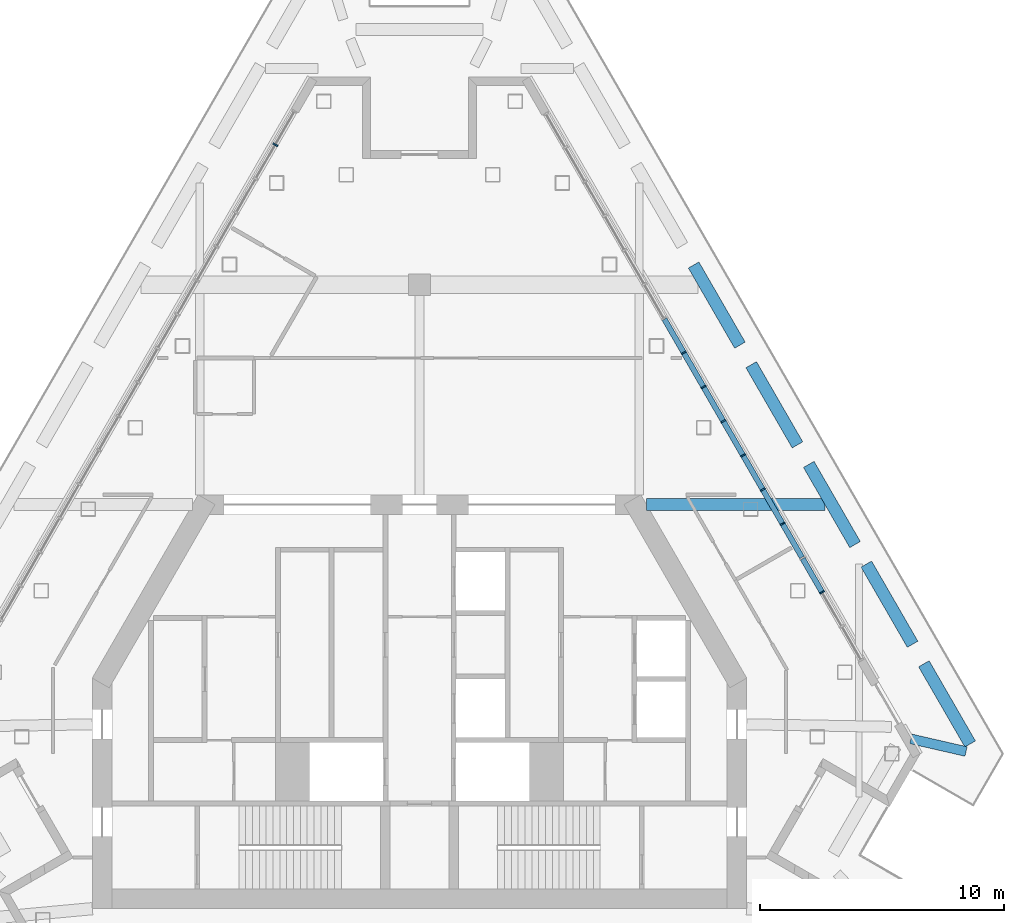
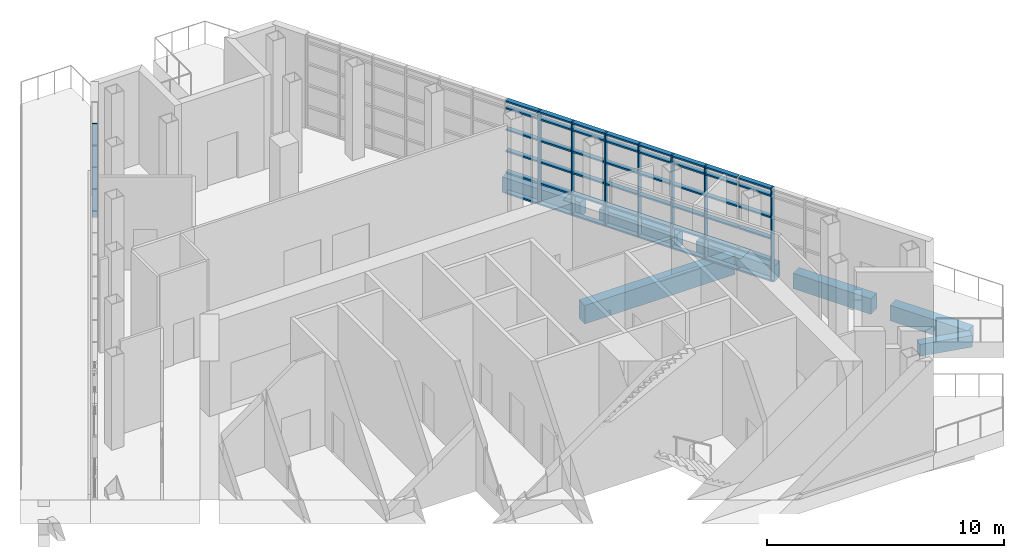
# One storey, part 5 of 15: 56 members, 7 beams, 2 elements without a shape of their own.
"""IFC4 building model written with IfcOpenShell, lengths in metres."""

from ifc_helpers import new_model, si_unit, direction, frame, origin, origin_2d, place, context, subcontext, project, spatial, rectangle, extrude, material, material_profile, profile_set, type_object, element, aggregate, save


model = new_model("IFC4")

# Units and contexts
model_context = context("Model", 3, precision=1e-05, world=origin(), true_north=direction((0.0, 1.0)))
body_context = subcontext(model_context, "Body", "Model", "MODEL_VIEW")
ifc_project = project(units=[si_unit("LENGTHUNIT", "METRE"), si_unit("AREAUNIT", "SQUARE_METRE"), si_unit("VOLUMEUNIT", "CUBIC_METRE"), si_unit("PLANEANGLEUNIT", "RADIAN"), si_unit("MASSUNIT", "GRAM", prefix="KILO")], contexts=[model_context])

# Site, building, storey
site_placement = place(None, origin())
site = spatial("IfcSite", under=ifc_project, at=site_placement, CompositionType="ELEMENT")
building_placement = place(site_placement, origin())
building = spatial("IfcBuilding", under=site, at=building_placement, Name="Fogline Exchange Tower", CompositionType="ELEMENT")
storey_placement = place(building_placement, frame((0.0, 0.0, 344.699951171875)))
storey = spatial("IfcBuildingStorey", under=building, at=storey_placement, Name="L78", CompositionType="ELEMENT", Elevation=344.699951171875)

# Beams
ifc_material_1 = material(Name="Concrete C40", Category="concrete")
ifc_material_profile_1 = material_profile(ifc_material_1, rectangle(XDim=0.5, YDim=0.800048828125, at=origin_2d()), Name="RC 500x800")
ifc_profile_set_1 = profile_set([ifc_material_profile_1], Name="Concrete C40")
beam_type_1 = type_object("IfcBeamType", Name="B10", PredefinedType="BEAM", material=ifc_profile_set_1)
beam_1_placement = place(storey_placement, frame((22.54931640625, 8.194091796875, -1.199951171875), z_axis=(-0.499969613651, 0.86604294664, 0.0), x_axis=(-0.86604294664, -0.499969613651, 0.0)))
element("IfcBeam", 1, at=beam_1_placement, inside=storey, type_object=beam_type_1, Name="RB009", PredefinedType="BEAM", context=body_context, shape_type="SweptSolid", body=[
    extrude(rectangle(XDim=0.5, YDim=0.800048828125, at=origin_2d()), origin(), (0.0, 0.0, 1.0), 3.790771484375),
])
for number, where, z_axis, x_axis, name in (
    (2, (20.192138671875, 12.277099609375, -1.199951171875), (-0.499997501644, 0.866026846206, 0.0), (-0.866026846206, -0.499997501644, 0.0), "RB010"),
    (3, (17.8349609375, 16.35986328125, -1.199951171875), (-0.499997501644, 0.866026846206, 0.0), (-0.866026846206, -0.499997501644, 0.0), "RB011"),
    (4, (15.477783203125, 20.442626953125, -1.199951171875), (-0.499997501644, 0.866026846206, 0.0), (-0.866026846206, -0.499997501644, 0.0), "RB012"),
):
    element("IfcBeam", number, at=place(storey_placement, frame(where, z_axis=z_axis, x_axis=x_axis)), inside=storey, type_object=beam_type_1, Name=name, PredefinedType="BEAM", context=body_context, shape_type="SweptSolid", body=[
        extrude(rectangle(XDim=0.5, YDim=0.800048828125, at=origin_2d()), origin(), (0.0, 0.0, 1.0), 3.79052734375),
    ])
beam_2_placement = place(storey_placement, frame((13.12060546875, 24.525390625, -1.199951171875), z_axis=(-0.500045805297, 0.865998956469, 0.0), x_axis=(-0.865998956469, -0.500045805297, 0.0)))
element("IfcBeam", 5, at=beam_2_placement, inside=storey, type_object=beam_type_1, Name="RB013", PredefinedType="BEAM", context=body_context, shape_type="SweptSolid", body=[
    extrude(rectangle(XDim=0.5, YDim=0.800048828125, at=origin_2d()), origin(), (0.0, 0.0, 1.0), 3.790771484375),
])
ifc_material_profile_2 = material_profile(ifc_material_1, rectangle(XDim=0.39990234375, YDim=0.60009765625, at=origin_2d()), Name="RC 400x600")
ifc_profile_set_2 = profile_set([ifc_material_profile_2], Name="Concrete C40")
beam_type_2 = type_object("IfcBeamType", Name="B11", PredefinedType="BEAM", material=ifc_profile_set_2)
beam_3_placement = place(storey_placement, frame((20.120849609375, 8.403564453125, -1.099853515625), z_axis=(0.974753812703, -0.223282342834, 0.0), x_axis=(0.223282342834, 0.974753812703, 0.0)))
element("IfcBeam", 6, at=beam_3_placement, inside=storey, type_object=beam_type_2, Name="RB008", PredefinedType="BEAM", context=body_context, shape_type="SweptSolid", body=[
    extrude(rectangle(XDim=0.39990234375, YDim=0.60009765625, at=origin_2d()), origin(), (0.0, 0.0, 1.0), 2.318115234375),
])
ifc_material_profile_3 = material_profile(ifc_material_1, rectangle(XDim=0.5, YDim=0.949951171875, at=origin_2d()), Name="RC 500x950")
ifc_profile_set_3 = profile_set([ifc_material_profile_3], Name="Concrete C40")
beam_type_3 = type_object("IfcBeamType", Name="B14", PredefinedType="BEAM", material=ifc_profile_set_3)
beam_4_placement = place(storey_placement, frame((9.296142578125, 18.0, -1.27490234375), z_axis=(1.0, 0.0, 0.0), x_axis=(0.0, 1.0, 0.0)))
element("IfcBeam", 7, at=beam_4_placement, inside=storey, type_object=beam_type_3, Name="GB004", PredefinedType="BEAM", context=body_context, shape_type="SweptSolid", body=[
    extrude(rectangle(XDim=0.5, YDim=0.949951171875, at=origin_2d()), origin(), (0.0, 0.0, 1.0), 7.30322265625),
])

# Curtain wall, members
ifc_material_2 = material(Name="Aluminium and glass", Category="aluminium")
curtain_wall_type = type_object("IfcCurtainWallType", Name="CW5", PredefinedType="NOTDEFINED", material=ifc_material_2)
curtain_wall_1_placement = place(storey_placement, origin())
curtain_wall_1 = element("IfcCurtainWall", 8, at=curtain_wall_1_placement, inside=storey, type_object=curtain_wall_type, Name="CW5 L78 E run 1", PredefinedType="NOTDEFINED")
ifc_material_3 = material(Name="Aluminium", Category="aluminium")
ifc_material_profile_4 = material_profile(ifc_material_3, rectangle(XDim=0.219970703125, YDim=0.06494140625, at=origin_2d()), Name="Mullion 65x220")
ifc_profile_set_4 = profile_set([ifc_material_profile_4], Name="Aluminium")
member_type_1 = type_object("IfcMemberType", Name="CW5-M", PredefinedType="MULLION", material=ifc_profile_set_4)
member_1_placement = place(storey_placement, frame((16.48486328125, 14.408447265625, 0.0), z_axis=(0.0, 0.0, 1.0), x_axis=(-0.866025427189, -0.499999959462, 0.0)))
member_1 = element("IfcMember", 9, at=member_1_placement, type_object=member_type_1, Name="CW5-T26-01 mullion 3", PredefinedType="MULLION", context=body_context, shape_type="SweptSolid", body=[
    extrude(rectangle(XDim=0.219970703125, YDim=0.06494140625, at=origin_2d()), origin(), (0.0, 0.0, 1.0), 4.800048828125),
])
member_2_placement = place(storey_placement, frame((14.8671875, 17.210693359375, 0.0), z_axis=(0.0, 0.0, 1.0), x_axis=(-0.866025427189, -0.499999959462, 0.0)))
member_2 = element("IfcMember", 10, at=member_2_placement, type_object=member_type_1, Name="CW5-T26-01 mullion 5", PredefinedType="MULLION", context=body_context, shape_type="SweptSolid", body=[
    extrude(rectangle(XDim=0.219970703125, YDim=0.06494140625, at=origin_2d()), origin(), (0.0, 0.0, 1.0), 4.800048828125),
])
member_3_placement = place(storey_placement, frame((14.058349609375, 18.611572265625, 0.0), z_axis=(0.0, 0.0, 1.0), x_axis=(-0.866025427189, -0.499999959462, 0.0)))
member_3 = element("IfcMember", 11, at=member_3_placement, type_object=member_type_1, Name="CW5-T26-01 mullion 6", PredefinedType="MULLION", context=body_context, shape_type="SweptSolid", body=[
    extrude(rectangle(XDim=0.219970703125, YDim=0.06494140625, at=origin_2d()), origin(), (0.0, 0.0, 1.0), 4.800048828125),
])
member_4_placement = place(storey_placement, frame((13.249267578125, 20.0126953125, 0.0), z_axis=(0.0, 0.0, 1.0), x_axis=(-0.866025427189, -0.499999959462, 0.0)))
member_4 = element("IfcMember", 12, at=member_4_placement, type_object=member_type_1, Name="CW5-T26-01 mullion 7", PredefinedType="MULLION", context=body_context, shape_type="SweptSolid", body=[
    extrude(rectangle(XDim=0.219970703125, YDim=0.06494140625, at=origin_2d()), origin(), (0.0, 0.0, 1.0), 4.800048828125),
])
member_5_placement = place(storey_placement, frame((12.4404296875, 21.413818359375, 0.0), z_axis=(0.0, 0.0, 1.0), x_axis=(-0.866025427189, -0.499999959462, 0.0)))
member_5 = element("IfcMember", 13, at=member_5_placement, type_object=member_type_1, Name="CW5-T26-01 mullion 8", PredefinedType="MULLION", context=body_context, shape_type="SweptSolid", body=[
    extrude(rectangle(XDim=0.219970703125, YDim=0.06494140625, at=origin_2d()), origin(), (0.0, 0.0, 1.0), 4.800048828125),
])
member_6_placement = place(storey_placement, frame((11.631591796875, 22.81494140625, 0.0), z_axis=(0.0, 0.0, 1.0), x_axis=(-0.866025427189, -0.499999959462, 0.0)))
member_6 = element("IfcMember", 14, at=member_6_placement, type_object=member_type_1, Name="CW5-T26-01 mullion 9", PredefinedType="MULLION", context=body_context, shape_type="SweptSolid", body=[
    extrude(rectangle(XDim=0.219970703125, YDim=0.06494140625, at=origin_2d()), origin(), (0.0, 0.0, 1.0), 4.800048828125),
])
member_7_placement = place(storey_placement, frame((10.822509765625, 24.2158203125, 0.0), z_axis=(0.0, 0.0, 1.0), x_axis=(-0.866025427189, -0.499999959462, 0.0)))
member_7 = element("IfcMember", 15, at=member_7_placement, type_object=member_type_1, Name="CW5-T26-01 mullion 10", PredefinedType="MULLION", context=body_context, shape_type="SweptSolid", body=[
    extrude(rectangle(XDim=0.219970703125, YDim=0.06494140625, at=origin_2d()), origin(), (0.0, 0.0, 1.0), 4.800048828125),
])

# Curtain wall, member
curtain_wall_2_placement = place(storey_placement, origin())
curtain_wall_2 = element("IfcCurtainWall", 16, at=curtain_wall_2_placement, inside=storey, type_object=curtain_wall_type, Name="CW5 L78 W run 1", PredefinedType="NOTDEFINED")
member_8_placement = place(storey_placement, frame((-5.905029296875, 32.733154296875, 0.0), z_axis=(0.0, 0.0, 1.0), x_axis=(0.866025370998, -0.500000056787, 0.0)))
member_8 = element("IfcMember", 17, at=member_8_placement, type_object=member_type_1, Name="CW5-T26-02 mullion 2", PredefinedType="MULLION", context=body_context, shape_type="SweptSolid", body=[
    extrude(rectangle(XDim=0.219970703125, YDim=0.06494140625, at=origin_2d()), origin(), (0.0, 0.0, 1.0), 4.800048828125),
])
aggregate(curtain_wall_2, [member_8])

# Member
ifc_material_profile_5 = material_profile(ifc_material_3, rectangle(XDim=0.219970703125, YDim=0.080078125, at=origin_2d()), Name="Transom 80x220")
ifc_profile_set_5 = profile_set([ifc_material_profile_5], Name="Aluminium")
member_type_2 = type_object("IfcMemberType", Name="CW5-T", PredefinedType="USERDEFINED", material=ifc_profile_set_5)
member_9_placement = place(storey_placement, frame((16.46875, 14.4365234375, 0.0400390625), z_axis=(-0.499926585285, 0.866067785641, 0.0), x_axis=(-0.866067785641, -0.499926585285, 0.0)))
member_9 = element("IfcMember", 18, at=member_9_placement, type_object=member_type_2, Name="CW5-T26-01 transom 3.1", ObjectType="TRANSOM", PredefinedType="USERDEFINED", context=body_context, shape_type="SweptSolid", body=[
    extrude(rectangle(XDim=0.219970703125, YDim=0.080078125, at=origin_2d()), origin(), (0.0, 0.0, 1.0), 1.552978515625),
])

member_10_placement = place(storey_placement, frame((16.46875, 14.4365234375, 1.10009765625), z_axis=(-0.499926585285, 0.866067785641, 0.0), x_axis=(-0.866067785641, -0.499926585285, 0.0)))
member_10 = element("IfcMember", 19, at=member_10_placement, type_object=member_type_2, Name="CW5-T26-01 transom 3.2", ObjectType="TRANSOM", PredefinedType="USERDEFINED", context=body_context, shape_type="SweptSolid", body=[
    extrude(rectangle(XDim=0.219970703125, YDim=0.080078125, at=origin_2d()), origin(), (0.0, 0.0, 1.0), 1.552978515625),
])

member_11_placement = place(storey_placement, frame((16.46875, 14.4365234375, 2.199951171875), z_axis=(-0.499926585285, 0.866067785641, 0.0), x_axis=(-0.866067785641, -0.499926585285, 0.0)))
member_11 = element("IfcMember", 20, at=member_11_placement, type_object=member_type_2, Name="CW5-T26-01 transom 3.3", ObjectType="TRANSOM", PredefinedType="USERDEFINED", context=body_context, shape_type="SweptSolid", body=[
    extrude(rectangle(XDim=0.219970703125, YDim=0.080078125, at=origin_2d()), origin(), (0.0, 0.0, 1.0), 1.552978515625),
])

member_12_placement = place(storey_placement, frame((16.46875, 14.4365234375, 3.300048828125), z_axis=(-0.499926585285, 0.866067785641, 0.0), x_axis=(-0.866067785641, -0.499926585285, 0.0)))
member_12 = element("IfcMember", 21, at=member_12_placement, type_object=member_type_2, Name="CW5-T26-01 transom 3.4", ObjectType="TRANSOM", PredefinedType="USERDEFINED", context=body_context, shape_type="SweptSolid", body=[
    extrude(rectangle(XDim=0.219970703125, YDim=0.080078125, at=origin_2d()), origin(), (0.0, 0.0, 1.0), 1.552978515625),
])

member_13_placement = place(storey_placement, frame((16.46875, 14.4365234375, 4.400146484375), z_axis=(-0.499926585285, 0.866067785641, 0.0), x_axis=(-0.866067785641, -0.499926585285, 0.0)))
member_13 = element("IfcMember", 22, at=member_13_placement, type_object=member_type_2, Name="CW5-T26-01 transom 3.5", ObjectType="TRANSOM", PredefinedType="USERDEFINED", context=body_context, shape_type="SweptSolid", body=[
    extrude(rectangle(XDim=0.219970703125, YDim=0.080078125, at=origin_2d()), origin(), (0.0, 0.0, 1.0), 1.552978515625),
])

member_14_placement = place(storey_placement, frame((16.46875, 14.4365234375, 4.760009765625), z_axis=(-0.499926585285, 0.866067785641, 0.0), x_axis=(-0.866067785641, -0.499926585285, 0.0)))
member_14 = element("IfcMember", 23, at=member_14_placement, type_object=member_type_2, Name="CW5-T26-01 transom 3.6", ObjectType="TRANSOM", PredefinedType="USERDEFINED", context=body_context, shape_type="SweptSolid", body=[
    extrude(rectangle(XDim=0.219970703125, YDim=0.080078125, at=origin_2d()), origin(), (0.0, 0.0, 1.0), 1.552978515625),
])

member_15_placement = place(storey_placement, frame((15.659912109375, 15.837646484375, 0.0400390625), z_axis=(-0.50011257031, 0.86596040153, 0.0), x_axis=(-0.86596040153, -0.50011257031, 0.0)))
member_15 = element("IfcMember", 24, at=member_15_placement, type_object=member_type_2, Name="CW5-T26-01 transom 4.1", ObjectType="TRANSOM", PredefinedType="USERDEFINED", context=body_context, shape_type="SweptSolid", body=[
    extrude(rectangle(XDim=0.219970703125, YDim=0.080078125, at=origin_2d()), origin(), (0.0, 0.0, 1.0), 1.552978515625),
])

member_16_placement = place(storey_placement, frame((15.659912109375, 15.837646484375, 1.10009765625), z_axis=(-0.50011257031, 0.86596040153, 0.0), x_axis=(-0.86596040153, -0.50011257031, 0.0)))
member_16 = element("IfcMember", 25, at=member_16_placement, type_object=member_type_2, Name="CW5-T26-01 transom 4.2", ObjectType="TRANSOM", PredefinedType="USERDEFINED", context=body_context, shape_type="SweptSolid", body=[
    extrude(rectangle(XDim=0.219970703125, YDim=0.080078125, at=origin_2d()), origin(), (0.0, 0.0, 1.0), 1.552978515625),
])

member_17_placement = place(storey_placement, frame((15.659912109375, 15.837646484375, 2.199951171875), z_axis=(-0.50011257031, 0.86596040153, 0.0), x_axis=(-0.86596040153, -0.50011257031, 0.0)))
member_17 = element("IfcMember", 26, at=member_17_placement, type_object=member_type_2, Name="CW5-T26-01 transom 4.3", ObjectType="TRANSOM", PredefinedType="USERDEFINED", context=body_context, shape_type="SweptSolid", body=[
    extrude(rectangle(XDim=0.219970703125, YDim=0.080078125, at=origin_2d()), origin(), (0.0, 0.0, 1.0), 1.552978515625),
])

member_18_placement = place(storey_placement, frame((15.659912109375, 15.837646484375, 3.300048828125), z_axis=(-0.50011257031, 0.86596040153, 0.0), x_axis=(-0.86596040153, -0.50011257031, 0.0)))
member_18 = element("IfcMember", 27, at=member_18_placement, type_object=member_type_2, Name="CW5-T26-01 transom 4.4", ObjectType="TRANSOM", PredefinedType="USERDEFINED", context=body_context, shape_type="SweptSolid", body=[
    extrude(rectangle(XDim=0.219970703125, YDim=0.080078125, at=origin_2d()), origin(), (0.0, 0.0, 1.0), 1.552978515625),
])

member_19_placement = place(storey_placement, frame((15.659912109375, 15.837646484375, 4.400146484375), z_axis=(-0.50011257031, 0.86596040153, 0.0), x_axis=(-0.86596040153, -0.50011257031, 0.0)))
member_19 = element("IfcMember", 28, at=member_19_placement, type_object=member_type_2, Name="CW5-T26-01 transom 4.5", ObjectType="TRANSOM", PredefinedType="USERDEFINED", context=body_context, shape_type="SweptSolid", body=[
    extrude(rectangle(XDim=0.219970703125, YDim=0.080078125, at=origin_2d()), origin(), (0.0, 0.0, 1.0), 1.552978515625),
])

member_20_placement = place(storey_placement, frame((15.659912109375, 15.837646484375, 4.760009765625), z_axis=(-0.50011257031, 0.86596040153, 0.0), x_axis=(-0.86596040153, -0.50011257031, 0.0)))
member_20 = element("IfcMember", 29, at=member_20_placement, type_object=member_type_2, Name="CW5-T26-01 transom 4.6", ObjectType="TRANSOM", PredefinedType="USERDEFINED", context=body_context, shape_type="SweptSolid", body=[
    extrude(rectangle(XDim=0.219970703125, YDim=0.080078125, at=origin_2d()), origin(), (0.0, 0.0, 1.0), 1.552978515625),
])

member_21_placement = place(storey_placement, frame((14.850830078125, 17.23876953125, 0.0400390625), z_axis=(-0.499994660107, 0.866028486751, 0.0), x_axis=(-0.866028486751, -0.499994660107, 0.0)))
member_21 = element("IfcMember", 30, at=member_21_placement, type_object=member_type_2, Name="CW5-T26-01 transom 5.1", ObjectType="TRANSOM", PredefinedType="USERDEFINED", context=body_context, shape_type="SweptSolid", body=[
    extrude(rectangle(XDim=0.219970703125, YDim=0.080078125, at=origin_2d()), origin(), (0.0, 0.0, 1.0), 1.552734375),
])

member_22_placement = place(storey_placement, frame((14.850830078125, 17.23876953125, 1.10009765625), z_axis=(-0.499994660107, 0.866028486751, 0.0), x_axis=(-0.866028486751, -0.499994660107, 0.0)))
member_22 = element("IfcMember", 31, at=member_22_placement, type_object=member_type_2, Name="CW5-T26-01 transom 5.2", ObjectType="TRANSOM", PredefinedType="USERDEFINED", context=body_context, shape_type="SweptSolid", body=[
    extrude(rectangle(XDim=0.219970703125, YDim=0.080078125, at=origin_2d()), origin(), (0.0, 0.0, 1.0), 1.552734375),
])

member_23_placement = place(storey_placement, frame((14.850830078125, 17.23876953125, 2.199951171875), z_axis=(-0.499994660107, 0.866028486751, 0.0), x_axis=(-0.866028486751, -0.499994660107, 0.0)))
member_23 = element("IfcMember", 32, at=member_23_placement, type_object=member_type_2, Name="CW5-T26-01 transom 5.3", ObjectType="TRANSOM", PredefinedType="USERDEFINED", context=body_context, shape_type="SweptSolid", body=[
    extrude(rectangle(XDim=0.219970703125, YDim=0.080078125, at=origin_2d()), origin(), (0.0, 0.0, 1.0), 1.552734375),
])

member_24_placement = place(storey_placement, frame((14.850830078125, 17.23876953125, 3.300048828125), z_axis=(-0.499994660107, 0.866028486751, 0.0), x_axis=(-0.866028486751, -0.499994660107, 0.0)))
member_24 = element("IfcMember", 33, at=member_24_placement, type_object=member_type_2, Name="CW5-T26-01 transom 5.4", ObjectType="TRANSOM", PredefinedType="USERDEFINED", context=body_context, shape_type="SweptSolid", body=[
    extrude(rectangle(XDim=0.219970703125, YDim=0.080078125, at=origin_2d()), origin(), (0.0, 0.0, 1.0), 1.552734375),
])

member_25_placement = place(storey_placement, frame((14.850830078125, 17.23876953125, 4.400146484375), z_axis=(-0.499994660107, 0.866028486751, 0.0), x_axis=(-0.866028486751, -0.499994660107, 0.0)))
member_25 = element("IfcMember", 34, at=member_25_placement, type_object=member_type_2, Name="CW5-T26-01 transom 5.5", ObjectType="TRANSOM", PredefinedType="USERDEFINED", context=body_context, shape_type="SweptSolid", body=[
    extrude(rectangle(XDim=0.219970703125, YDim=0.080078125, at=origin_2d()), origin(), (0.0, 0.0, 1.0), 1.552734375),
])

member_26_placement = place(storey_placement, frame((14.850830078125, 17.23876953125, 4.760009765625), z_axis=(-0.499994660107, 0.866028486751, 0.0), x_axis=(-0.866028486751, -0.499994660107, 0.0)))
member_26 = element("IfcMember", 35, at=member_26_placement, type_object=member_type_2, Name="CW5-T26-01 transom 5.6", ObjectType="TRANSOM", PredefinedType="USERDEFINED", context=body_context, shape_type="SweptSolid", body=[
    extrude(rectangle(XDim=0.219970703125, YDim=0.080078125, at=origin_2d()), origin(), (0.0, 0.0, 1.0), 1.552734375),
])

member_27_placement = place(storey_placement, frame((14.0419921875, 18.639892578125, 0.0400390625), z_axis=(-0.499994660107, 0.866028486751, 0.0), x_axis=(-0.866028486751, -0.499994660107, 0.0)))
member_27 = element("IfcMember", 36, at=member_27_placement, type_object=member_type_2, Name="CW5-T26-01 transom 6.1", ObjectType="TRANSOM", PredefinedType="USERDEFINED", context=body_context, shape_type="SweptSolid", body=[
    extrude(rectangle(XDim=0.219970703125, YDim=0.080078125, at=origin_2d()), origin(), (0.0, 0.0, 1.0), 1.552734375),
])

member_28_placement = place(storey_placement, frame((14.0419921875, 18.639892578125, 1.10009765625), z_axis=(-0.499994660107, 0.866028486751, 0.0), x_axis=(-0.866028486751, -0.499994660107, 0.0)))
member_28 = element("IfcMember", 37, at=member_28_placement, type_object=member_type_2, Name="CW5-T26-01 transom 6.2", ObjectType="TRANSOM", PredefinedType="USERDEFINED", context=body_context, shape_type="SweptSolid", body=[
    extrude(rectangle(XDim=0.219970703125, YDim=0.080078125, at=origin_2d()), origin(), (0.0, 0.0, 1.0), 1.552734375),
])

member_29_placement = place(storey_placement, frame((14.0419921875, 18.639892578125, 2.199951171875), z_axis=(-0.499994660107, 0.866028486751, 0.0), x_axis=(-0.866028486751, -0.499994660107, 0.0)))
member_29 = element("IfcMember", 38, at=member_29_placement, type_object=member_type_2, Name="CW5-T26-01 transom 6.3", ObjectType="TRANSOM", PredefinedType="USERDEFINED", context=body_context, shape_type="SweptSolid", body=[
    extrude(rectangle(XDim=0.219970703125, YDim=0.080078125, at=origin_2d()), origin(), (0.0, 0.0, 1.0), 1.552734375),
])

member_30_placement = place(storey_placement, frame((14.0419921875, 18.639892578125, 3.300048828125), z_axis=(-0.499994660107, 0.866028486751, 0.0), x_axis=(-0.866028486751, -0.499994660107, 0.0)))
member_30 = element("IfcMember", 39, at=member_30_placement, type_object=member_type_2, Name="CW5-T26-01 transom 6.4", ObjectType="TRANSOM", PredefinedType="USERDEFINED", context=body_context, shape_type="SweptSolid", body=[
    extrude(rectangle(XDim=0.219970703125, YDim=0.080078125, at=origin_2d()), origin(), (0.0, 0.0, 1.0), 1.552734375),
])

member_31_placement = place(storey_placement, frame((14.0419921875, 18.639892578125, 4.400146484375), z_axis=(-0.499994660107, 0.866028486751, 0.0), x_axis=(-0.866028486751, -0.499994660107, 0.0)))
member_31 = element("IfcMember", 40, at=member_31_placement, type_object=member_type_2, Name="CW5-T26-01 transom 6.5", ObjectType="TRANSOM", PredefinedType="USERDEFINED", context=body_context, shape_type="SweptSolid", body=[
    extrude(rectangle(XDim=0.219970703125, YDim=0.080078125, at=origin_2d()), origin(), (0.0, 0.0, 1.0), 1.552734375),
])

member_32_placement = place(storey_placement, frame((14.0419921875, 18.639892578125, 4.760009765625), z_axis=(-0.499994660107, 0.866028486751, 0.0), x_axis=(-0.866028486751, -0.499994660107, 0.0)))
member_32 = element("IfcMember", 41, at=member_32_placement, type_object=member_type_2, Name="CW5-T26-01 transom 6.6", ObjectType="TRANSOM", PredefinedType="USERDEFINED", context=body_context, shape_type="SweptSolid", body=[
    extrude(rectangle(XDim=0.219970703125, YDim=0.080078125, at=origin_2d()), origin(), (0.0, 0.0, 1.0), 1.552734375),
])

member_33_placement = place(storey_placement, frame((13.233154296875, 20.040771484375, 0.0400390625), z_axis=(-0.499926585285, 0.866067785641, 0.0), x_axis=(-0.866067785641, -0.499926585285, 0.0)))
member_33 = element("IfcMember", 42, at=member_33_placement, type_object=member_type_2, Name="CW5-T26-01 transom 7.1", ObjectType="TRANSOM", PredefinedType="USERDEFINED", context=body_context, shape_type="SweptSolid", body=[
    extrude(rectangle(XDim=0.219970703125, YDim=0.080078125, at=origin_2d()), origin(), (0.0, 0.0, 1.0), 1.552978515625),
])

member_34_placement = place(storey_placement, frame((13.233154296875, 20.040771484375, 1.10009765625), z_axis=(-0.499926585285, 0.866067785641, 0.0), x_axis=(-0.866067785641, -0.499926585285, 0.0)))
member_34 = element("IfcMember", 43, at=member_34_placement, type_object=member_type_2, Name="CW5-T26-01 transom 7.2", ObjectType="TRANSOM", PredefinedType="USERDEFINED", context=body_context, shape_type="SweptSolid", body=[
    extrude(rectangle(XDim=0.219970703125, YDim=0.080078125, at=origin_2d()), origin(), (0.0, 0.0, 1.0), 1.552978515625),
])

member_35_placement = place(storey_placement, frame((13.233154296875, 20.040771484375, 2.199951171875), z_axis=(-0.499926585285, 0.866067785641, 0.0), x_axis=(-0.866067785641, -0.499926585285, 0.0)))
member_35 = element("IfcMember", 44, at=member_35_placement, type_object=member_type_2, Name="CW5-T26-01 transom 7.3", ObjectType="TRANSOM", PredefinedType="USERDEFINED", context=body_context, shape_type="SweptSolid", body=[
    extrude(rectangle(XDim=0.219970703125, YDim=0.080078125, at=origin_2d()), origin(), (0.0, 0.0, 1.0), 1.552978515625),
])

member_36_placement = place(storey_placement, frame((13.233154296875, 20.040771484375, 3.300048828125), z_axis=(-0.499926585285, 0.866067785641, 0.0), x_axis=(-0.866067785641, -0.499926585285, 0.0)))
member_36 = element("IfcMember", 45, at=member_36_placement, type_object=member_type_2, Name="CW5-T26-01 transom 7.4", ObjectType="TRANSOM", PredefinedType="USERDEFINED", context=body_context, shape_type="SweptSolid", body=[
    extrude(rectangle(XDim=0.219970703125, YDim=0.080078125, at=origin_2d()), origin(), (0.0, 0.0, 1.0), 1.552978515625),
])

member_37_placement = place(storey_placement, frame((13.233154296875, 20.040771484375, 4.400146484375), z_axis=(-0.499926585285, 0.866067785641, 0.0), x_axis=(-0.866067785641, -0.499926585285, 0.0)))
member_37 = element("IfcMember", 46, at=member_37_placement, type_object=member_type_2, Name="CW5-T26-01 transom 7.5", ObjectType="TRANSOM", PredefinedType="USERDEFINED", context=body_context, shape_type="SweptSolid", body=[
    extrude(rectangle(XDim=0.219970703125, YDim=0.080078125, at=origin_2d()), origin(), (0.0, 0.0, 1.0), 1.552978515625),
])

member_38_placement = place(storey_placement, frame((13.233154296875, 20.040771484375, 4.760009765625), z_axis=(-0.499926585285, 0.866067785641, 0.0), x_axis=(-0.866067785641, -0.499926585285, 0.0)))
member_38 = element("IfcMember", 47, at=member_38_placement, type_object=member_type_2, Name="CW5-T26-01 transom 7.6", ObjectType="TRANSOM", PredefinedType="USERDEFINED", context=body_context, shape_type="SweptSolid", body=[
    extrude(rectangle(XDim=0.219970703125, YDim=0.080078125, at=origin_2d()), origin(), (0.0, 0.0, 1.0), 1.552978515625),
])

member_39_placement = place(storey_placement, frame((12.424072265625, 21.44189453125, 0.0400390625), z_axis=(-0.499994660107, 0.866028486751, 0.0), x_axis=(-0.866028486751, -0.499994660107, 0.0)))
member_39 = element("IfcMember", 48, at=member_39_placement, type_object=member_type_2, Name="CW5-T26-01 transom 8.1", ObjectType="TRANSOM", PredefinedType="USERDEFINED", context=body_context, shape_type="SweptSolid", body=[
    extrude(rectangle(XDim=0.219970703125, YDim=0.080078125, at=origin_2d()), origin(), (0.0, 0.0, 1.0), 1.552734375),
])

member_40_placement = place(storey_placement, frame((12.424072265625, 21.44189453125, 1.10009765625), z_axis=(-0.499994660107, 0.866028486751, 0.0), x_axis=(-0.866028486751, -0.499994660107, 0.0)))
member_40 = element("IfcMember", 49, at=member_40_placement, type_object=member_type_2, Name="CW5-T26-01 transom 8.2", ObjectType="TRANSOM", PredefinedType="USERDEFINED", context=body_context, shape_type="SweptSolid", body=[
    extrude(rectangle(XDim=0.219970703125, YDim=0.080078125, at=origin_2d()), origin(), (0.0, 0.0, 1.0), 1.552734375),
])

member_41_placement = place(storey_placement, frame((12.424072265625, 21.44189453125, 2.199951171875), z_axis=(-0.499994660107, 0.866028486751, 0.0), x_axis=(-0.866028486751, -0.499994660107, 0.0)))
member_41 = element("IfcMember", 50, at=member_41_placement, type_object=member_type_2, Name="CW5-T26-01 transom 8.3", ObjectType="TRANSOM", PredefinedType="USERDEFINED", context=body_context, shape_type="SweptSolid", body=[
    extrude(rectangle(XDim=0.219970703125, YDim=0.080078125, at=origin_2d()), origin(), (0.0, 0.0, 1.0), 1.552734375),
])

member_42_placement = place(storey_placement, frame((12.424072265625, 21.44189453125, 3.300048828125), z_axis=(-0.499994660107, 0.866028486751, 0.0), x_axis=(-0.866028486751, -0.499994660107, 0.0)))
member_42 = element("IfcMember", 51, at=member_42_placement, type_object=member_type_2, Name="CW5-T26-01 transom 8.4", ObjectType="TRANSOM", PredefinedType="USERDEFINED", context=body_context, shape_type="SweptSolid", body=[
    extrude(rectangle(XDim=0.219970703125, YDim=0.080078125, at=origin_2d()), origin(), (0.0, 0.0, 1.0), 1.552734375),
])

member_43_placement = place(storey_placement, frame((12.424072265625, 21.44189453125, 4.400146484375), z_axis=(-0.499994660107, 0.866028486751, 0.0), x_axis=(-0.866028486751, -0.499994660107, 0.0)))
member_43 = element("IfcMember", 52, at=member_43_placement, type_object=member_type_2, Name="CW5-T26-01 transom 8.5", ObjectType="TRANSOM", PredefinedType="USERDEFINED", context=body_context, shape_type="SweptSolid", body=[
    extrude(rectangle(XDim=0.219970703125, YDim=0.080078125, at=origin_2d()), origin(), (0.0, 0.0, 1.0), 1.552734375),
])

member_44_placement = place(storey_placement, frame((12.424072265625, 21.44189453125, 4.760009765625), z_axis=(-0.499994660107, 0.866028486751, 0.0), x_axis=(-0.866028486751, -0.499994660107, 0.0)))
member_44 = element("IfcMember", 53, at=member_44_placement, type_object=member_type_2, Name="CW5-T26-01 transom 8.6", ObjectType="TRANSOM", PredefinedType="USERDEFINED", context=body_context, shape_type="SweptSolid", body=[
    extrude(rectangle(XDim=0.219970703125, YDim=0.080078125, at=origin_2d()), origin(), (0.0, 0.0, 1.0), 1.552734375),
])

member_45_placement = place(storey_placement, frame((11.615234375, 22.843017578125, 0.0400390625), z_axis=(-0.499994660107, 0.866028486751, 0.0), x_axis=(-0.866028486751, -0.499994660107, 0.0)))
member_45 = element("IfcMember", 54, at=member_45_placement, type_object=member_type_2, Name="CW5-T26-01 transom 9.1", ObjectType="TRANSOM", PredefinedType="USERDEFINED", context=body_context, shape_type="SweptSolid", body=[
    extrude(rectangle(XDim=0.219970703125, YDim=0.080078125, at=origin_2d()), origin(), (0.0, 0.0, 1.0), 1.552734375),
])

member_46_placement = place(storey_placement, frame((11.615234375, 22.843017578125, 1.10009765625), z_axis=(-0.499994660107, 0.866028486751, 0.0), x_axis=(-0.866028486751, -0.499994660107, 0.0)))
member_46 = element("IfcMember", 55, at=member_46_placement, type_object=member_type_2, Name="CW5-T26-01 transom 9.2", ObjectType="TRANSOM", PredefinedType="USERDEFINED", context=body_context, shape_type="SweptSolid", body=[
    extrude(rectangle(XDim=0.219970703125, YDim=0.080078125, at=origin_2d()), origin(), (0.0, 0.0, 1.0), 1.552734375),
])

member_47_placement = place(storey_placement, frame((11.615234375, 22.843017578125, 2.199951171875), z_axis=(-0.499994660107, 0.866028486751, 0.0), x_axis=(-0.866028486751, -0.499994660107, 0.0)))
member_47 = element("IfcMember", 56, at=member_47_placement, type_object=member_type_2, Name="CW5-T26-01 transom 9.3", ObjectType="TRANSOM", PredefinedType="USERDEFINED", context=body_context, shape_type="SweptSolid", body=[
    extrude(rectangle(XDim=0.219970703125, YDim=0.080078125, at=origin_2d()), origin(), (0.0, 0.0, 1.0), 1.552734375),
])

member_48_placement = place(storey_placement, frame((11.615234375, 22.843017578125, 3.300048828125), z_axis=(-0.499994660107, 0.866028486751, 0.0), x_axis=(-0.866028486751, -0.499994660107, 0.0)))
member_48 = element("IfcMember", 57, at=member_48_placement, type_object=member_type_2, Name="CW5-T26-01 transom 9.4", ObjectType="TRANSOM", PredefinedType="USERDEFINED", context=body_context, shape_type="SweptSolid", body=[
    extrude(rectangle(XDim=0.219970703125, YDim=0.080078125, at=origin_2d()), origin(), (0.0, 0.0, 1.0), 1.552734375),
])

member_49_placement = place(storey_placement, frame((11.615234375, 22.843017578125, 4.400146484375), z_axis=(-0.499994660107, 0.866028486751, 0.0), x_axis=(-0.866028486751, -0.499994660107, 0.0)))
member_49 = element("IfcMember", 58, at=member_49_placement, type_object=member_type_2, Name="CW5-T26-01 transom 9.5", ObjectType="TRANSOM", PredefinedType="USERDEFINED", context=body_context, shape_type="SweptSolid", body=[
    extrude(rectangle(XDim=0.219970703125, YDim=0.080078125, at=origin_2d()), origin(), (0.0, 0.0, 1.0), 1.552734375),
])

member_50_placement = place(storey_placement, frame((11.615234375, 22.843017578125, 4.760009765625), z_axis=(-0.499994660107, 0.866028486751, 0.0), x_axis=(-0.866028486751, -0.499994660107, 0.0)))
member_50 = element("IfcMember", 59, at=member_50_placement, type_object=member_type_2, Name="CW5-T26-01 transom 9.6", ObjectType="TRANSOM", PredefinedType="USERDEFINED", context=body_context, shape_type="SweptSolid", body=[
    extrude(rectangle(XDim=0.219970703125, YDim=0.080078125, at=origin_2d()), origin(), (0.0, 0.0, 1.0), 1.552734375),
])

member_51_placement = place(storey_placement, frame((10.806396484375, 24.244140625, 0.0400390625), z_axis=(-0.499994660107, 0.866028486751, 0.0), x_axis=(-0.866028486751, -0.499994660107, 0.0)))
member_51 = element("IfcMember", 60, at=member_51_placement, type_object=member_type_2, Name="CW5-T26-01 transom 10.1", ObjectType="TRANSOM", PredefinedType="USERDEFINED", context=body_context, shape_type="SweptSolid", body=[
    extrude(rectangle(XDim=0.219970703125, YDim=0.080078125, at=origin_2d()), origin(), (0.0, 0.0, 1.0), 1.552734375),
])

member_52_placement = place(storey_placement, frame((10.806396484375, 24.244140625, 1.10009765625), z_axis=(-0.499994660107, 0.866028486751, 0.0), x_axis=(-0.866028486751, -0.499994660107, 0.0)))
member_52 = element("IfcMember", 61, at=member_52_placement, type_object=member_type_2, Name="CW5-T26-01 transom 10.2", ObjectType="TRANSOM", PredefinedType="USERDEFINED", context=body_context, shape_type="SweptSolid", body=[
    extrude(rectangle(XDim=0.219970703125, YDim=0.080078125, at=origin_2d()), origin(), (0.0, 0.0, 1.0), 1.552734375),
])

member_53_placement = place(storey_placement, frame((10.806396484375, 24.244140625, 2.199951171875), z_axis=(-0.499994660107, 0.866028486751, 0.0), x_axis=(-0.866028486751, -0.499994660107, 0.0)))
member_53 = element("IfcMember", 62, at=member_53_placement, type_object=member_type_2, Name="CW5-T26-01 transom 10.3", ObjectType="TRANSOM", PredefinedType="USERDEFINED", context=body_context, shape_type="SweptSolid", body=[
    extrude(rectangle(XDim=0.219970703125, YDim=0.080078125, at=origin_2d()), origin(), (0.0, 0.0, 1.0), 1.552734375),
])

member_54_placement = place(storey_placement, frame((10.806396484375, 24.244140625, 3.300048828125), z_axis=(-0.499994660107, 0.866028486751, 0.0), x_axis=(-0.866028486751, -0.499994660107, 0.0)))
member_54 = element("IfcMember", 63, at=member_54_placement, type_object=member_type_2, Name="CW5-T26-01 transom 10.4", ObjectType="TRANSOM", PredefinedType="USERDEFINED", context=body_context, shape_type="SweptSolid", body=[
    extrude(rectangle(XDim=0.219970703125, YDim=0.080078125, at=origin_2d()), origin(), (0.0, 0.0, 1.0), 1.552734375),
])

member_55_placement = place(storey_placement, frame((10.806396484375, 24.244140625, 4.400146484375), z_axis=(-0.499994660107, 0.866028486751, 0.0), x_axis=(-0.866028486751, -0.499994660107, 0.0)))
member_55 = element("IfcMember", 64, at=member_55_placement, type_object=member_type_2, Name="CW5-T26-01 transom 10.5", ObjectType="TRANSOM", PredefinedType="USERDEFINED", context=body_context, shape_type="SweptSolid", body=[
    extrude(rectangle(XDim=0.219970703125, YDim=0.080078125, at=origin_2d()), origin(), (0.0, 0.0, 1.0), 1.552734375),
])

member_56_placement = place(storey_placement, frame((10.806396484375, 24.244140625, 4.760009765625), z_axis=(-0.499994660107, 0.866028486751, 0.0), x_axis=(-0.866028486751, -0.499994660107, 0.0)))
member_56 = element("IfcMember", 65, at=member_56_placement, type_object=member_type_2, Name="CW5-T26-01 transom 10.6", ObjectType="TRANSOM", PredefinedType="USERDEFINED", context=body_context, shape_type="SweptSolid", body=[
    extrude(rectangle(XDim=0.219970703125, YDim=0.080078125, at=origin_2d()), origin(), (0.0, 0.0, 1.0), 1.552734375),
])

aggregate(curtain_wall_1, [member_1, member_2, member_3, member_4, member_5, member_6, member_7, member_9, member_10, member_11, member_12, member_13, member_14, member_15, member_16, member_17, member_18, member_19, member_20, member_21, member_22, member_23, member_24, member_25, member_26, member_27, member_28, member_29, member_30, member_31, member_32, member_33, member_34, member_35, member_36, member_37, member_38, member_39, member_40, member_41, member_42, member_43, member_44, member_45, member_46, member_47, member_48, member_49, member_50, member_51, member_52, member_53, member_54, member_55, member_56])

save(model, "model.ifc")
